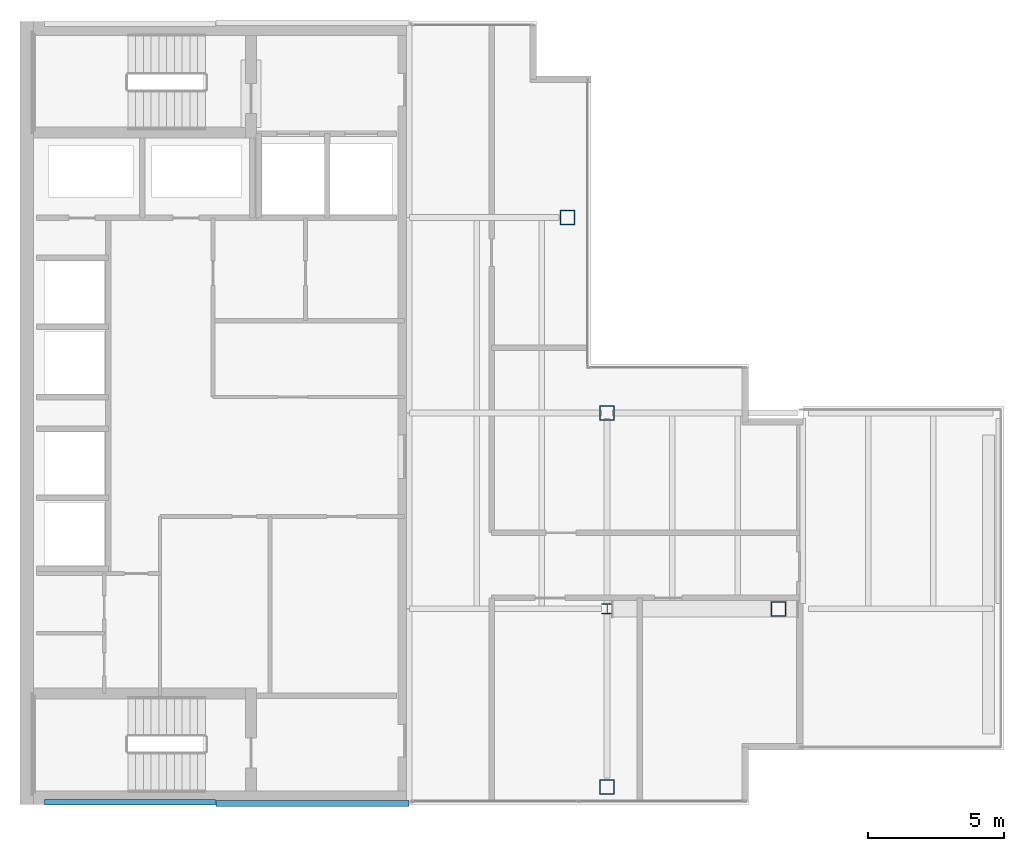
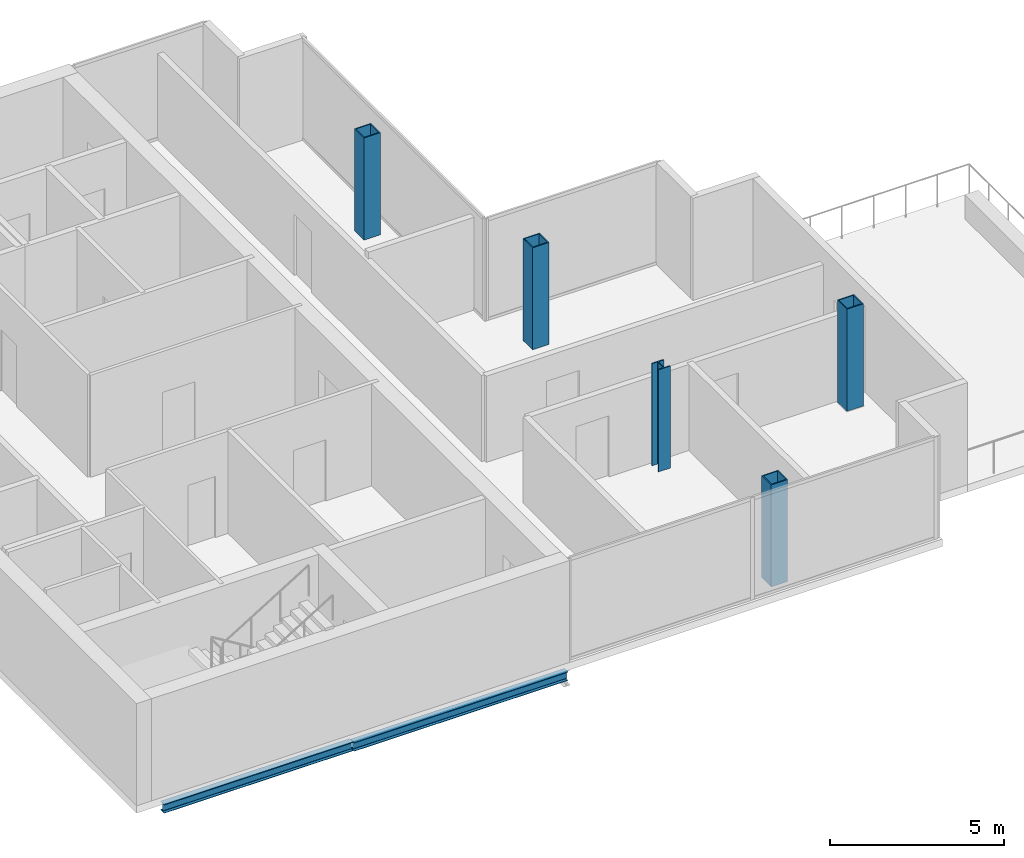
# One storey, part 1 of 16: 5 columns, 2 beams.
"""IFC4 building model written with IfcOpenShell, lengths in metres."""

from ifc_helpers import new_model, si_unit, direction, frame, origin, origin_2d, place, context, subcontext, project, spatial, hollow_rectangle, i_section, extrude, material, material_profile, profile_set, type_object, element, save


model = new_model("IFC4")

# Units and contexts
model_context = context("Model", 3, precision=1e-05, world=origin(), true_north=direction((0.0, 1.0)))
body_context = subcontext(model_context, "Body", "Model", "MODEL_VIEW")
ifc_project = project(units=[si_unit("LENGTHUNIT", "METRE"), si_unit("AREAUNIT", "SQUARE_METRE"), si_unit("VOLUMEUNIT", "CUBIC_METRE"), si_unit("PLANEANGLEUNIT", "RADIAN"), si_unit("MASSUNIT", "GRAM", prefix="KILO")], contexts=[model_context])

# Site, building, storey
site_placement = place(None, origin())
site = spatial("IfcSite", under=ifc_project, at=site_placement, CompositionType="ELEMENT")
building_placement = place(site_placement, origin())
building = spatial("IfcBuilding", under=site, at=building_placement, Name="Cobrela Telecom Tower", CompositionType="ELEMENT")
storey_placement = place(building_placement, frame((0.0, 0.0, 293.64990234375)))
storey = spatial("IfcBuildingStorey", under=building, at=storey_placement, Name="L77", CompositionType="ELEMENT", Elevation=293.64990234375)

# Columns
ifc_material_1 = material(Name="Steel ASTM A992 Grade 50", Category="steel")
ifc_material_profile_1 = material_profile(ifc_material_1, i_section(OverallWidth=0.39892578125, OverallDepth=0.39404296875, WebThickness=0.022705078125, FlangeThickness=0.03662109375, FilletRadius=0.01806640625, at=origin_2d()), Name="W14X193")
ifc_profile_set_1 = profile_set([ifc_material_profile_1], Name="Steel ASTM A992 Grade 50")
column_type_1 = type_object("IfcColumnType", Name="COL-INT-06", PredefinedType="COLUMN", material=ifc_profile_set_1)
column_placement = place(storey_placement, frame((21.60009765625, 14.39990234375, 0.0), z_axis=(0.0, 0.0, 1.0), x_axis=(1.0, 0.0, 0.0)))
element("IfcColumn", 1, at=column_placement, inside=storey, type_object=column_type_1, Name="L77 Interior Column 03", PredefinedType="COLUMN", context=body_context, shape_type="SweptSolid", body=[
    extrude(i_section(OverallWidth=0.39892578125, OverallDepth=0.39404296875, WebThickness=0.022705078125, FlangeThickness=0.03662109375, FilletRadius=0.01806640625, at=origin_2d()), origin(), (0.0, 0.0, 1.0), 3.590087890625),
])
ifc_material_2 = material(Name="Steel ASTM A572 Grade 50", Category="steel")
ifc_material_profile_2 = material_profile(ifc_material_2, hollow_rectangle(XDim=0.550048828125, YDim=0.550048828125, WallThickness=0.034912109375, at=origin_2d()), Name="BOX 550x550x35")
ifc_profile_set_2 = profile_set([ifc_material_profile_2], Name="Steel ASTM A572 Grade 50")
column_type_2 = type_object("IfcColumnType", Name="COL-MEGA-10", PredefinedType="COLUMN", material=ifc_profile_set_2)
for number, where, z_axis, x_axis, name in (
    (2, (20.14990234375, 28.800048828125, 0.0), (0.0, 0.0, 1.0), (1.0, 0.0, 0.0), "L77 Perimeter Mega-Column 01"),
    (3, (21.60009765625, 7.85009765625, 0.0), (0.0, 0.0, 1.0), (1.0, 0.0, 0.0), "L77 Perimeter Mega-Column 02"),
    (4, (21.60009765625, 21.60009765625, 0.0), (0.0, 0.0, 1.0), (1.0, 0.0, 0.0), "L77 Perimeter Mega-Column 04"),
    (5, (27.89990234375, 14.39990234375, 0.0), (0.0, 0.0, 1.0), (1.0, 0.0, 0.0), "L77 Perimeter Mega-Column 05"),
):
    element("IfcColumn", number, at=place(storey_placement, frame(where, z_axis=z_axis, x_axis=x_axis)), inside=storey, type_object=column_type_2, Name=name, PredefinedType="COLUMN", context=body_context, shape_type="SweptSolid", body=[
        extrude(hollow_rectangle(XDim=0.550048828125, YDim=0.550048828125, WallThickness=0.034912109375, at=origin_2d()), origin(), (0.0, 0.0, 1.0), 3.590087890625),
    ])

# Beams
ifc_material_profile_3 = material_profile(ifc_material_1, i_section(OverallWidth=0.205078125, OverallDepth=0.31005859375, WebThickness=0.009521484375, FlangeThickness=0.016357421875, FilletRadius=0.010986328125, at=origin_2d()), Name="W12X50")
ifc_profile_set_3 = profile_set([ifc_material_profile_3], Name="Steel ASTM A992 Grade 50")
beam_type = type_object("IfcBeamType", Name="BM-SPAND-07", PredefinedType="SPANDREL", material=ifc_profile_set_3)
beam_1_placement = place(storey_placement, frame((0.905029296875, 7.280029296875, -0.414794921875), z_axis=(1.0, 0.0, 0.0), x_axis=(0.0, 1.0, 0.0)))
element("IfcBeam", 6, at=beam_1_placement, inside=storey, type_object=beam_type, Name="L77 Perimeter Spandrel X01", PredefinedType="SPANDREL", context=body_context, shape_type="SweptSolid", body=[
    extrude(i_section(OverallWidth=0.205078125, OverallDepth=0.31005859375, WebThickness=0.009521484375, FlangeThickness=0.016357421875, FilletRadius=0.010986328125, at=origin_2d()), origin(), (0.0, 0.0, 1.0), 6.2900390625),
])
beam_2_placement = place(storey_placement, frame((7.205078125, 7.239990234375, -0.414794921875), z_axis=(1.0, 0.0, 0.0), x_axis=(0.0, 1.0, 0.0)))
element("IfcBeam", 7, at=beam_2_placement, inside=storey, type_object=beam_type, Name="L77 Perimeter Spandrel X02", PredefinedType="SPANDREL", context=body_context, shape_type="SweptSolid", body=[
    extrude(i_section(OverallWidth=0.205078125, OverallDepth=0.31005859375, WebThickness=0.009521484375, FlangeThickness=0.016357421875, FilletRadius=0.010986328125, at=origin_2d()), origin(), (0.0, 0.0, 1.0), 7.10986328125),
])

save(model, "model.ifc")
